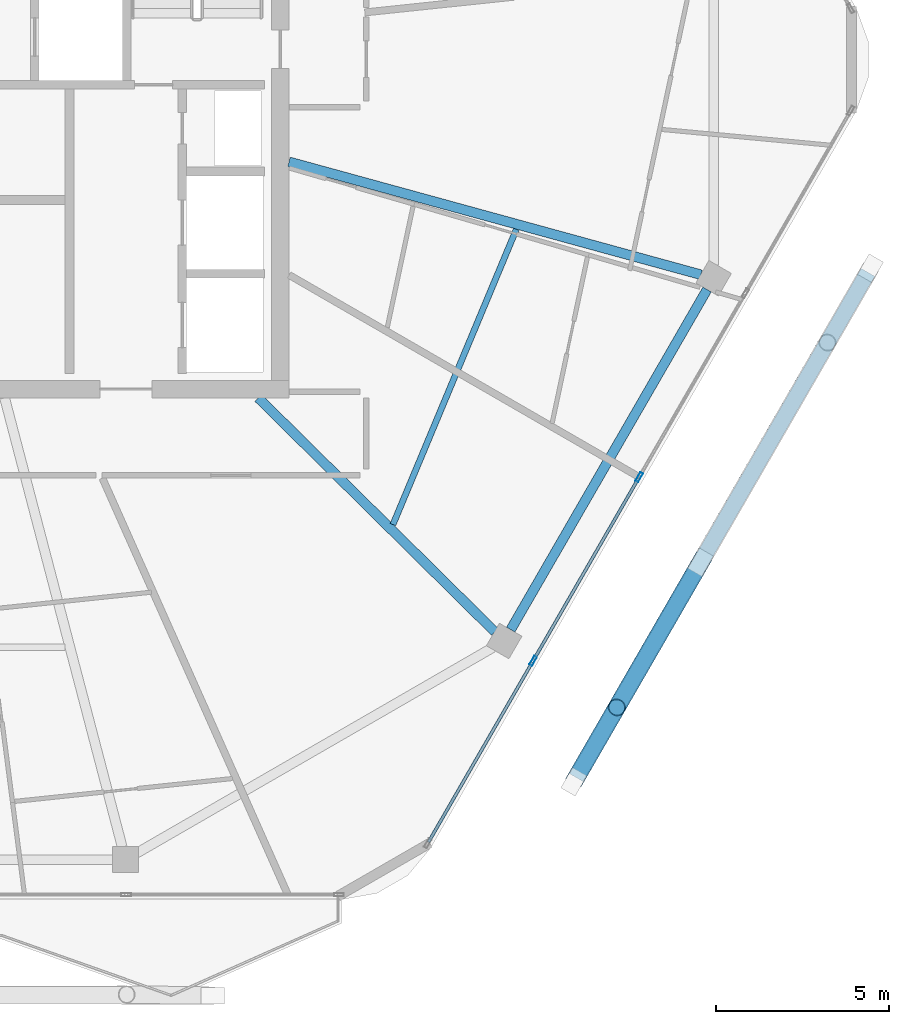
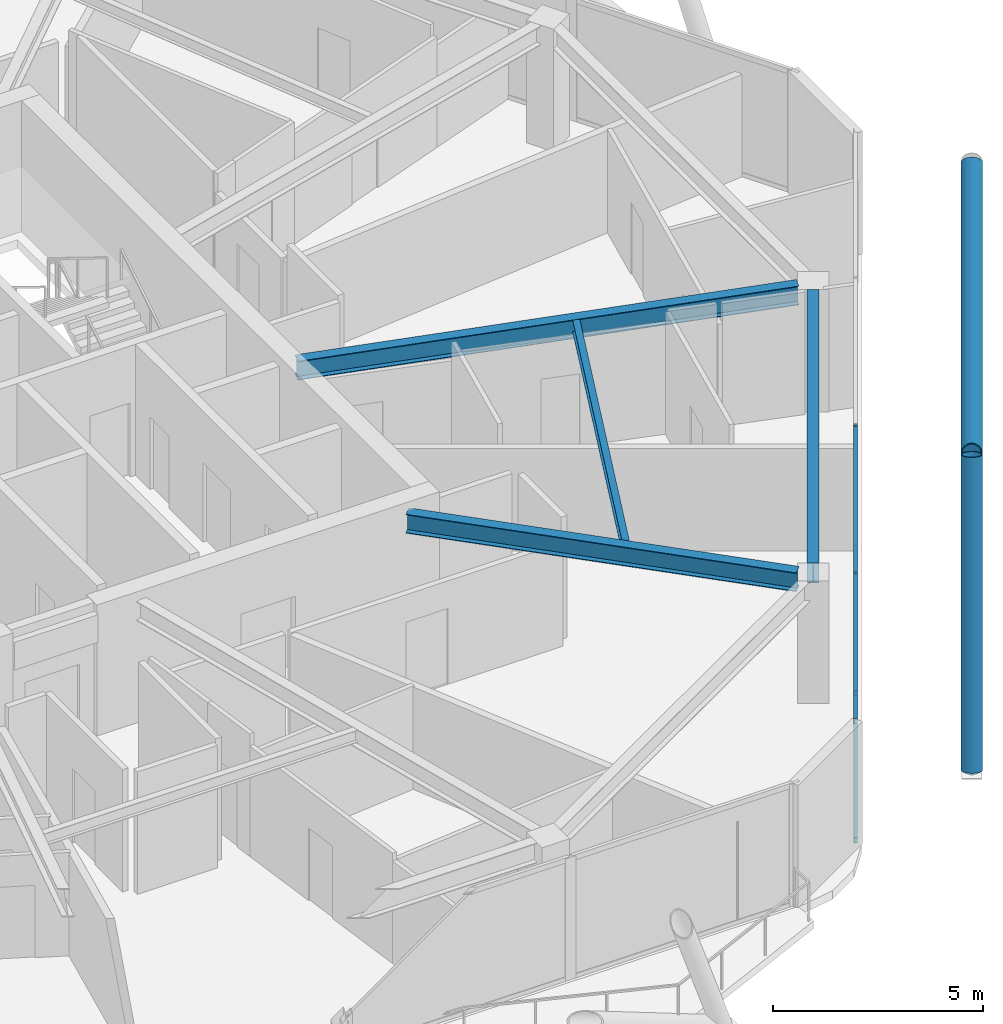
# One storey, part 7 of 23: 10 members, 4 beams, 1 element without a shape of its own.
"""IFC4 building model written with IfcOpenShell, lengths in metres."""

from ifc_helpers import new_model, si_unit, direction, frame, origin, origin_2d, place, context, subcontext, project, spatial, hollow_rectangle, hollow_circle, i_section, extrude, material, material_profile, profile_set, type_object, element, aggregate, save


model = new_model("IFC4")

# Units and contexts
model_context = context("Model", 3, precision=1e-05, world=origin(), true_north=direction((0.0, 1.0)))
body_context = subcontext(model_context, "Body", "Model", "MODEL_VIEW")
ifc_project = project(units=[si_unit("LENGTHUNIT", "METRE"), si_unit("AREAUNIT", "SQUARE_METRE"), si_unit("VOLUMEUNIT", "CUBIC_METRE"), si_unit("PLANEANGLEUNIT", "RADIAN"), si_unit("MASSUNIT", "GRAM", prefix="KILO")], contexts=[model_context])

# Site, building, storey
site_placement = place(None, origin())
site = spatial("IfcSite", under=ifc_project, at=site_placement, CompositionType="ELEMENT")
building_placement = place(site_placement, origin())
building = spatial("IfcBuilding", under=site, at=building_placement, Name="Zuhravey Tower", CompositionType="ELEMENT")
storey_placement = place(building_placement, frame((0.0, 0.0, 346.199951171875)))
storey = spatial("IfcBuildingStorey", under=building, at=storey_placement, Name="L88", CompositionType="ELEMENT", Elevation=346.199951171875)

# Curtain wall, members
ifc_material_1 = material(Name="Thermally broken anodised aluminium", Category="aluminium")
curtain_wall_type = type_object("IfcCurtainWallType", Name="Zone 3-4 High-Rise Curtain Wall CW4", PredefinedType="NOTDEFINED", material=ifc_material_1)
curtain_wall_placement = place(storey_placement, origin())
curtain_wall = element("IfcCurtainWall", 1, at=curtain_wall_placement, inside=storey, type_object=curtain_wall_type, Name="L88 CW4 CW-L88-F6-1", PredefinedType="NOTDEFINED")
ifc_material_2 = material(Name="Anodised aluminium", Category="aluminium")
ifc_material_profile_1 = material_profile(ifc_material_2, hollow_rectangle(XDim=0.090087890625, YDim=0.284912109375, WallThickness=0.0048828125, at=origin_2d()), Name="ALU-RHS-90x285x5")
ifc_profile_set_1 = profile_set([ifc_material_profile_1], Name="Anodised aluminium")
member_type_1 = type_object("IfcMemberType", Name="Curtain-Wall Mullion 90x180", PredefinedType="MULLION", material=ifc_profile_set_1)
member_1_placement = place(storey_placement, frame((56.8486328125, 19.962890625, 0.0), z_axis=(0.0, 0.0, 1.0), x_axis=(0.866025511541, -0.49999981336, 0.0)))
member_1 = element("IfcMember", 2, at=member_1_placement, type_object=member_type_1, Name="CW4 mullion 3", PredefinedType="MULLION", context=body_context, shape_type="SweptSolid", body=[
    extrude(hollow_rectangle(XDim=0.090087890625, YDim=0.284912109375, WallThickness=0.0048828125, at=origin_2d()), origin(), (0.0, 0.0, 1.0), 3.550048828125),
])
member_2_placement = place(storey_placement, frame((53.788818359375, 14.6630859375, 0.0), z_axis=(0.0, 0.0, 1.0), x_axis=(0.866025511541, -0.49999981336, 0.0)))
member_2 = element("IfcMember", 3, at=member_2_placement, type_object=member_type_1, Name="CW4 mullion 4", PredefinedType="MULLION", context=body_context, shape_type="SweptSolid", body=[
    extrude(hollow_rectangle(XDim=0.090087890625, YDim=0.284912109375, WallThickness=0.0048828125, at=origin_2d()), origin(), (0.0, 0.0, 1.0), 3.550048828125),
])
ifc_material_profile_2 = material_profile(ifc_material_2, hollow_rectangle(XDim=0.090087890625, YDim=0.14990234375, WallThickness=0.0048828125, at=origin_2d()), Name="ALU-RHS-90x150x5")
ifc_profile_set_2 = profile_set([ifc_material_profile_2], Name="Anodised aluminium")
member_type_2 = type_object("IfcMemberType", Name="Curtain-Wall Transom 90x150", PredefinedType="USERDEFINED", material=ifc_profile_set_2)
member_3_placement = place(storey_placement, frame((56.826171875, 19.924072265625, 0.045166015625), z_axis=(-0.499971305196, -0.866041970103, 0.0), x_axis=(0.866041970103, -0.499971305196, 0.0)))
member_3 = element("IfcMember", 4, at=member_3_placement, type_object=member_type_2, Name="CW4 transom 3.1", ObjectType="TRANSOM", PredefinedType="USERDEFINED", context=body_context, shape_type="SweptSolid", body=[
    extrude(hollow_rectangle(XDim=0.090087890625, YDim=0.14990234375, WallThickness=0.0048828125, at=origin_2d()), origin(), (0.0, 0.0, 1.0), 6.029541015625),
])
member_4_placement = place(storey_placement, frame((56.826171875, 19.924072265625, 3.505126953125), z_axis=(-0.499971305196, -0.866041970103, 0.0), x_axis=(0.866041970103, -0.499971305196, 0.0)))
member_4 = element("IfcMember", 5, at=member_4_placement, type_object=member_type_2, Name="CW4 transom 3.2", ObjectType="TRANSOM", PredefinedType="USERDEFINED", context=body_context, shape_type="SweptSolid", body=[
    extrude(hollow_rectangle(XDim=0.090087890625, YDim=0.14990234375, WallThickness=0.0048828125, at=origin_2d()), origin(), (0.0, 0.0, 1.0), 6.029541015625),
])
member_5_placement = place(storey_placement, frame((53.766357421875, 14.624267578125, 0.045166015625), z_axis=(-0.499982594807, -0.866035452444, 0.0), x_axis=(0.866035452444, -0.499982594807, 0.0)))
member_5 = element("IfcMember", 6, at=member_5_placement, type_object=member_type_2, Name="CW4 transom 4.1", ObjectType="TRANSOM", PredefinedType="USERDEFINED", context=body_context, shape_type="SweptSolid", body=[
    extrude(hollow_rectangle(XDim=0.090087890625, YDim=0.14990234375, WallThickness=0.0048828125, at=origin_2d()), origin(), (0.0, 0.0, 1.0), 5.984619140625),
])
member_6_placement = place(storey_placement, frame((53.766357421875, 14.624267578125, 3.505126953125), z_axis=(-0.499982594807, -0.866035452444, 0.0), x_axis=(0.866035452444, -0.499982594807, 0.0)))
member_6 = element("IfcMember", 7, at=member_6_placement, type_object=member_type_2, Name="CW4 transom 4.2", ObjectType="TRANSOM", PredefinedType="USERDEFINED", context=body_context, shape_type="SweptSolid", body=[
    extrude(hollow_rectangle(XDim=0.090087890625, YDim=0.14990234375, WallThickness=0.0048828125, at=origin_2d()), origin(), (0.0, 0.0, 1.0), 5.984619140625),
])
aggregate(curtain_wall, [member_1, member_2, member_3, member_4, member_5, member_6])

# Members
ifc_material_3 = material(Name="Steel SM355", Category="steel")
ifc_material_profile_3 = material_profile(ifc_material_3, hollow_circle(Radius=0.228515625, WallThickness=0.02197265625, at=origin_2d()), Name="CHS-457.2x22")
ifc_profile_set_3 = profile_set([ifc_material_profile_3], Name="Steel SM355")
member_type_3 = type_object("IfcMemberType", Name="Exoskeleton Ring Tie CHS457x22", PredefinedType="CHORD", material=ifc_profile_set_3)
member_7_placement = place(storey_placement, frame((55.0341796875, 11.300048828125, -0.4638671875), z_axis=(0.499996794797, 0.866027254301, 0.0), x_axis=(-0.866027254301, 0.499996794797, 0.0)))
element("IfcMember", 8, at=member_7_placement, inside=storey, type_object=member_type_3, Name="L88 Exoskeleton Face 6 Tie EXR1", PredefinedType="CHORD", context=body_context, shape_type="SweptSolid", body=[
    extrude(hollow_circle(Radius=0.228515625, WallThickness=0.02197265625, at=origin_2d()), origin(), (0.0, 0.0, 1.0), 16.81884765625),
])
ifc_material_profile_4 = material_profile(ifc_material_3, hollow_circle(Radius=0.25390625, WallThickness=0.02490234375, at=origin_2d()), Name="CHS-508.0x25")
ifc_profile_set_4 = profile_set([ifc_material_profile_4], Name="Steel SM355")
member_type_4 = type_object("IfcMemberType", Name="Exoskeleton Zone 4 Diagrid CHS508x25", PredefinedType="BRACE", material=ifc_profile_set_4)
member_8_placement = place(storey_placement, frame((54.966796875, 11.18359375, -0.447998046875), z_axis=(0.157770091152, 0.273214661999, 0.948926944926), x_axis=(-0.865984868088, 0.500070203315, 0.0)))
element("IfcMember", 9, at=member_8_placement, inside=storey, type_object=member_type_4, Name="L88 Face 6 Diagrid Brace 1", PredefinedType="BRACE", context=body_context, shape_type="SweptSolid", body=[
    extrude(hollow_circle(Radius=0.25390625, WallThickness=0.02490234375, at=origin_2d()), origin(), (0.0, 0.0, 1.0), 7.833251953125),
])
member_9_placement = place(storey_placement, frame((54.97998046875, 11.2060546875, -0.447998046875), z_axis=(0.445277330273, 0.771265273099, 0.45483840829), x_axis=(-0.866031667544, 0.499989150693, 0.0)))
element("IfcMember", 10, at=member_9_placement, inside=storey, type_object=member_type_4, Name="L88 Face 6 Diagrid Brace 2", PredefinedType="BRACE", context=body_context, shape_type="SweptSolid", body=[
    extrude(hollow_circle(Radius=0.25390625, WallThickness=0.02490234375, at=origin_2d()), origin(), (0.0, 0.0, 1.0), 16.34228515625),
])
member_10_placement = place(storey_placement, frame((58.52197265625, 17.341064453125, 3.417724609375), z_axis=(-0.395514596918, -0.685063822079, 0.611764467179), x_axis=(0.866029336897, -0.499993187587, 0.0)))
element("IfcMember", 11, at=member_10_placement, inside=storey, type_object=member_type_4, Name="L88 Face 6 Split Diagrid Brace 3B", PredefinedType="BRACE", context=body_context, shape_type="SweptSolid", body=[
    extrude(hollow_circle(Radius=0.25390625, WallThickness=0.02490234375, at=origin_2d()), origin(), (0.0, 0.0, 1.0), 5.822021484375),
])

# Beams
ifc_material_profile_5 = material_profile(ifc_material_3, i_section(OverallWidth=0.280029296875, OverallDepth=0.580078125, WebThickness=0.011962890625, FlangeThickness=0.01904296875, at=origin_2d()), Name="H-580x280x12x19")
ifc_profile_set_5 = profile_set([ifc_material_profile_5], Name="Steel SM355")
beam_type_1 = type_object("IfcBeamType", Name="Perimeter Ring Beam H580x280", PredefinedType="BEAM", material=ifc_profile_set_5)
beam_1_placement = place(storey_placement, frame((53.143798828125, 15.565673828125, 3.260009765625), z_axis=(0.499993743963, 0.866029015679, 0.0), x_axis=(-0.866029015679, 0.499993743963, 0.0)))
element("IfcBeam", 12, at=beam_1_placement, inside=storey, type_object=beam_type_1, Name="L88 PB4 BM-L88-PB-11", PredefinedType="BEAM", context=body_context, shape_type="SweptSolid", body=[
    extrude(i_section(OverallWidth=0.280029296875, OverallDepth=0.580078125, WebThickness=0.011962890625, FlangeThickness=0.01904296875, at=origin_2d()), origin(), (0.0, 0.0, 1.0), 11.321533203125),
])
ifc_material_profile_6 = material_profile(ifc_material_3, i_section(OverallWidth=0.280029296875, OverallDepth=0.550048828125, WebThickness=0.010986328125, FlangeThickness=0.01806640625, at=origin_2d()), Name="H-550x280x11x18")
ifc_profile_set_6 = profile_set([ifc_material_profile_6], Name="Steel SM355")
beam_type_2 = type_object("IfcBeamType", Name="Radial Primary Girder H550x280", PredefinedType="BEAM", material=ifc_profile_set_6)
beam_2_placement = place(storey_placement, frame((45.865234375, 22.2470703125, 3.275146484375), z_axis=(0.711142578304, -0.703047817238, 0.0), x_axis=(0.703047817238, 0.711142578304, 0.0)))
element("IfcBeam", 13, at=beam_2_placement, inside=storey, type_object=beam_type_2, Name="L88 RG4 BM-L88-RAD-11", PredefinedType="BEAM", context=body_context, shape_type="SweptSolid", body=[
    extrude(i_section(OverallWidth=0.280029296875, OverallDepth=0.550048828125, WebThickness=0.010986328125, FlangeThickness=0.01806640625, at=origin_2d()), origin(), (0.0, 0.0, 1.0), 9.591064453125),
])
beam_3_placement = place(storey_placement, frame((46.7529296875, 29.052734375, 3.275146484375), z_axis=(0.964428588077, -0.264343523658, 0.0), x_axis=(0.264343523658, 0.964428588077, 0.0)))
element("IfcBeam", 14, at=beam_3_placement, inside=storey, type_object=beam_type_2, Name="L88 RG4 BM-L88-RAD-12", PredefinedType="BEAM", context=body_context, shape_type="SweptSolid", body=[
    extrude(i_section(OverallWidth=0.280029296875, OverallDepth=0.550048828125, WebThickness=0.010986328125, FlangeThickness=0.01806640625, at=origin_2d()), origin(), (0.0, 0.0, 1.0), 12.31396484375),
])
ifc_material_profile_7 = material_profile(ifc_material_3, i_section(OverallWidth=0.175048828125, OverallDepth=0.35009765625, WebThickness=0.007080078125, FlangeThickness=0.010986328125, at=origin_2d()), Name="H-350x175x7x11")
ifc_profile_set_7 = profile_set([ifc_material_profile_7], Name="Steel SM355")
beam_type_3 = type_object("IfcBeamType", Name="Secondary Floor Joist H350x175", PredefinedType="JOIST", material=ifc_profile_set_7)
beam_4_placement = place(storey_placement, frame((49.7490234375, 18.59521484375, 3.375), z_axis=(0.385657891576, 0.922641853953, 0.0), x_axis=(-0.922641853953, 0.385657891576, 0.0)))
element("IfcBeam", 15, at=beam_4_placement, inside=storey, type_object=beam_type_3, Name="L88 SJ3 BM-L88-SJ-11-1", PredefinedType="JOIST", context=body_context, shape_type="SweptSolid", body=[
    extrude(i_section(OverallWidth=0.175048828125, OverallDepth=0.35009765625, WebThickness=0.007080078125, FlangeThickness=0.010986328125, at=origin_2d()), origin(), (0.0, 0.0, 1.0), 9.226806640625),
])

save(model, "model.ifc")
